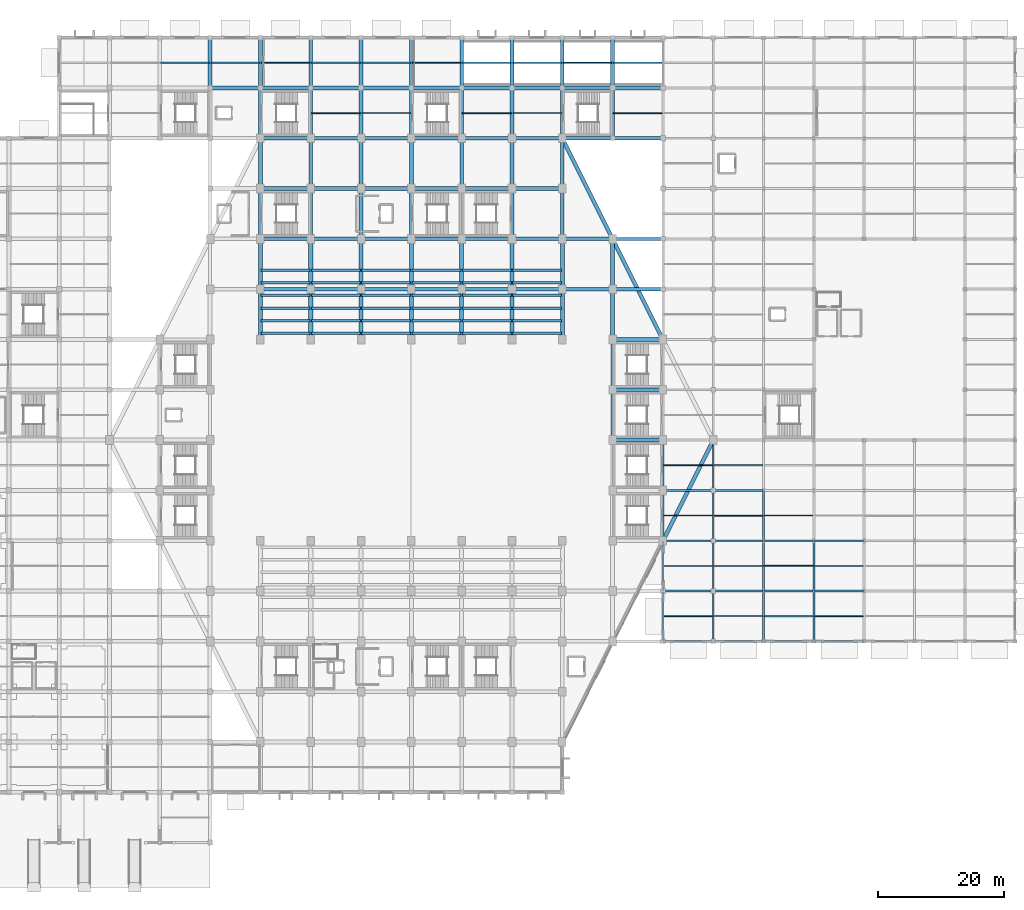
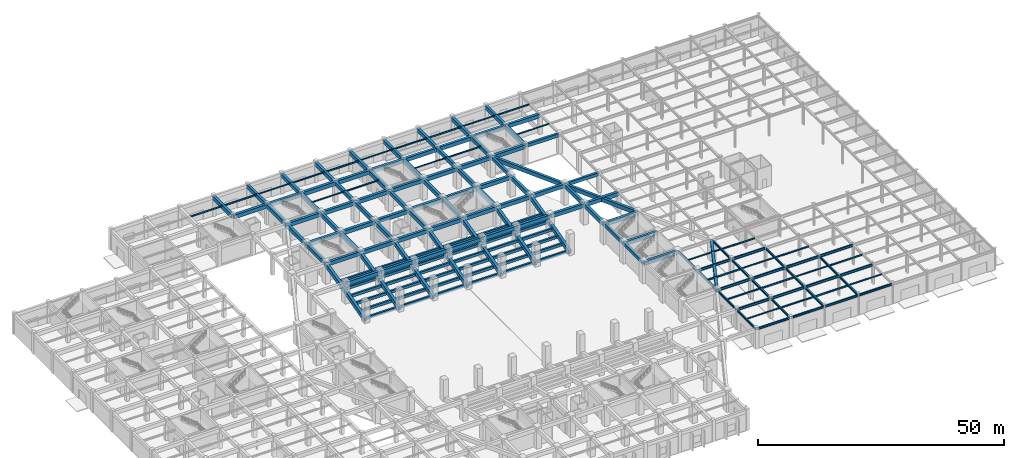
# One storey, part 13 of 39: 185 beams.
"""IFC4 building model written with IfcOpenShell, lengths in metres."""

from ifc_helpers import new_model, si_unit, direction, frame, origin, origin_2d, place, context, subcontext, project, spatial, rectangle, i_section, extrude, material, material_profile, profile_set, type_object, element, save


model = new_model("IFC4")

# Units and contexts
model_context = context("Model", 3, precision=1e-05, world=origin(), true_north=direction((0.0, 1.0)))
body_context = subcontext(model_context, "Body", "Model", "MODEL_VIEW")
ifc_project = project(units=[si_unit("LENGTHUNIT", "METRE"), si_unit("AREAUNIT", "SQUARE_METRE"), si_unit("VOLUMEUNIT", "CUBIC_METRE"), si_unit("PLANEANGLEUNIT", "RADIAN"), si_unit("MASSUNIT", "GRAM", prefix="KILO")], contexts=[model_context])

# Site, building, storey
site_placement = place(None, origin())
site = spatial("IfcSite", under=ifc_project, at=site_placement, CompositionType="ELEMENT")
building_placement = place(site_placement, origin())
building = spatial("IfcBuilding", under=site, at=building_placement, Name="Tazarka Park Arena", CompositionType="ELEMENT")
storey_placement = place(building_placement, origin())
storey = spatial("IfcBuildingStorey", under=building, at=storey_placement, Name="L00", CompositionType="ELEMENT", Elevation=0.0)

# Beams
ifc_material_1 = material(Name="Concrete C40/50", Category="concrete")
ifc_material_profile_1 = material_profile(ifc_material_1, rectangle(XDim=0.60009765625, YDim=0.949951171875, at=origin_2d()), Name="Concrete C40/50")
ifc_profile_set_1 = profile_set([ifc_material_profile_1], Name="Concrete C40/50")
beam_type_1 = type_object("IfcBeamType", Name="BM-B-03", PredefinedType="BEAM", material=ifc_profile_set_1)
for number, where, z_axis, x_axis, name in (
    (1, (56.1201171875, 120.0, 4.544921875), (1.0, 0.0, 0.0), (0.0, 1.0, 0.0), "GXM-L00-07-15"),
    (2, (56.0, 120.1201171875, 4.544921875), (0.0, 1.0, 0.0), (-1.0, 0.0, 0.0), "GYM-L00-07-15"),
    (3, (64.1201171875, 88.0, 4.544921875), (1.0, 0.0, 0.0), (0.0, 1.0, 0.0), "GXM-L00-08-11"),
    (4, (64.1201171875, 96.0, 4.544921875), (1.0, 0.0, 0.0), (0.0, 1.0, 0.0), "GXM-L00-08-12"),
    (5, (64.0, 96.1201171875, 4.544921875), (0.0, 1.0, 0.0), (-1.0, 0.0, 0.0), "GYM-L00-08-12"),
    (6, (64.1201171875, 104.0, 4.544921875), (1.0, 0.0, 0.0), (0.0, 1.0, 0.0), "GXM-L00-08-13"),
    (7, (64.0, 104.1201171875, 4.544921875), (0.0, 1.0, 0.0), (-1.0, 0.0, 0.0), "GYM-L00-08-13"),
    (8, (64.1201171875, 112.0, 4.544921875), (1.0, 0.0, 0.0), (0.0, 1.0, 0.0), "GXM-L00-08-14"),
    (9, (64.0, 112.1201171875, 4.544921875), (0.0, 1.0, 0.0), (-1.0, 0.0, 0.0), "GYM-L00-08-14"),
    (10, (64.1201171875, 120.0, 4.544921875), (1.0, 0.0, 0.0), (0.0, 1.0, 0.0), "GXM-L00-08-15"),
    (11, (64.0, 120.1201171875, 4.544921875), (0.0, 1.0, 0.0), (-1.0, 0.0, 0.0), "GYM-L00-08-15"),
    (12, (72.1201171875, 88.0, 4.544921875), (1.0, 0.0, 0.0), (0.0, 1.0, 0.0), "GXM-L00-09-11"),
    (13, (72.1201171875, 96.0, 4.544921875), (1.0, 0.0, 0.0), (0.0, 1.0, 0.0), "GXM-L00-09-12"),
    (14, (72.0, 96.1201171875, 4.544921875), (0.0, 1.0, 0.0), (-1.0, 0.0, 0.0), "GYM-L00-09-12"),
    (15, (72.1201171875, 104.0, 4.544921875), (1.0, 0.0, 0.0), (0.0, 1.0, 0.0), "GXM-L00-09-13"),
    (16, (72.0, 104.1201171875, 4.544921875), (0.0, 1.0, 0.0), (-1.0, 0.0, 0.0), "GYM-L00-09-13"),
    (17, (72.1201171875, 112.0, 4.544921875), (1.0, 0.0, 0.0), (0.0, 1.0, 0.0), "GXM-L00-09-14"),
    (18, (72.0, 112.1201171875, 4.544921875), (0.0, 1.0, 0.0), (-1.0, 0.0, 0.0), "GYM-L00-09-14"),
    (19, (72.1201171875, 120.0, 4.544921875), (1.0, 0.0, 0.0), (0.0, 1.0, 0.0), "GXM-L00-09-15"),
    (20, (72.0, 120.1201171875, 4.544921875), (0.0, 1.0, 0.0), (-1.0, 0.0, 0.0), "GYM-L00-09-15"),
    (21, (80.1201171875, 88.0, 4.544921875), (1.0, 0.0, 0.0), (0.0, 1.0, 0.0), "GXM-L00-10-11"),
    (22, (80.1201171875, 96.0, 4.544921875), (1.0, 0.0, 0.0), (0.0, 1.0, 0.0), "GXM-L00-10-12"),
    (23, (80.0, 96.1201171875, 4.544921875), (0.0, 1.0, 0.0), (-1.0, 0.0, 0.0), "GYM-L00-10-12"),
    (24, (80.1201171875, 104.0, 4.544921875), (1.0, 0.0, 0.0), (0.0, 1.0, 0.0), "GXM-L00-10-13"),
    (25, (80.0, 104.1201171875, 4.544921875), (0.0, 1.0, 0.0), (-1.0, 0.0, 0.0), "GYM-L00-10-13"),
    (26, (80.1201171875, 112.0, 4.544921875), (1.0, 0.0, 0.0), (0.0, 1.0, 0.0), "GXM-L00-10-14"),
    (27, (80.0, 112.1201171875, 4.544921875), (0.0, 1.0, 0.0), (-1.0, 0.0, 0.0), "GYM-L00-10-14"),
    (28, (80.1201171875, 120.0, 4.544921875), (1.0, 0.0, 0.0), (0.0, 1.0, 0.0), "GXM-L00-10-15"),
    (29, (80.0, 120.1201171875, 4.544921875), (0.0, 1.0, 0.0), (-1.0, 0.0, 0.0), "GYM-L00-10-15"),
    (30, (88.1201171875, 88.0, 4.544921875), (1.0, 0.0, 0.0), (0.0, 1.0, 0.0), "GXM-L00-11-11"),
    (31, (88.1201171875, 96.0, 4.544921875), (1.0, 0.0, 0.0), (0.0, 1.0, 0.0), "GXM-L00-11-12"),
    (32, (88.0, 96.1201171875, 4.544921875), (0.0, 1.0, 0.0), (-1.0, 0.0, 0.0), "GYM-L00-11-12"),
    (33, (88.1201171875, 104.0, 4.544921875), (1.0, 0.0, 0.0), (0.0, 1.0, 0.0), "GXM-L00-11-13"),
    (34, (88.0, 104.1201171875, 4.544921875), (0.0, 1.0, 0.0), (-1.0, 0.0, 0.0), "GYM-L00-11-13"),
    (35, (88.1201171875, 112.0, 4.544921875), (1.0, 0.0, 0.0), (0.0, 1.0, 0.0), "GXM-L00-11-14"),
    (36, (88.0, 112.1201171875, 4.544921875), (0.0, 1.0, 0.0), (-1.0, 0.0, 0.0), "GYM-L00-11-14"),
    (37, (88.1201171875, 120.0, 4.544921875), (1.0, 0.0, 0.0), (0.0, 1.0, 0.0), "GXM-L00-11-15"),
    (38, (88.0, 120.1201171875, 4.544921875), (0.0, 1.0, 0.0), (-1.0, 0.0, 0.0), "GYM-L00-11-15"),
    (39, (96.1201171875, 88.0, 4.544921875), (1.0, 0.0, 0.0), (0.0, 1.0, 0.0), "GXM-L00-12-11"),
    (40, (96.1201171875, 96.0, 4.544921875), (1.0, 0.0, 0.0), (0.0, 1.0, 0.0), "GXM-L00-12-12"),
    (41, (96.0, 96.1201171875, 4.544921875), (0.0, 1.0, 0.0), (-1.0, 0.0, 0.0), "GYM-L00-12-12"),
    (42, (96.1201171875, 104.0, 4.544921875), (1.0, 0.0, 0.0), (0.0, 1.0, 0.0), "GXM-L00-12-13"),
    (43, (96.0, 104.1201171875, 4.544921875), (0.0, 1.0, 0.0), (-1.0, 0.0, 0.0), "GYM-L00-12-13"),
    (44, (96.1201171875, 112.0, 4.544921875), (1.0, 0.0, 0.0), (0.0, 1.0, 0.0), "GXM-L00-12-14"),
    (45, (96.0, 112.1201171875, 4.544921875), (0.0, 1.0, 0.0), (-1.0, 0.0, 0.0), "GYM-L00-12-14"),
    (46, (96.1201171875, 120.0, 4.544921875), (1.0, 0.0, 0.0), (0.0, 1.0, 0.0), "GXM-L00-12-15"),
    (47, (96.0, 120.1201171875, 4.544921875), (0.0, 1.0, 0.0), (-1.0, 0.0, 0.0), "GYM-L00-12-15"),
    (48, (104.1201171875, 88.0, 4.544921875), (1.0, 0.0, 0.0), (0.0, 1.0, 0.0), "GXM-L00-13-11"),
    (49, (104.1201171875, 96.0, 4.544921875), (1.0, 0.0, 0.0), (0.0, 1.0, 0.0), "GXM-L00-13-12"),
    (50, (104.0, 96.1201171875, 4.544921875), (0.0, 1.0, 0.0), (-1.0, 0.0, 0.0), "GYM-L00-13-12"),
    (51, (104.1201171875, 104.0, 4.544921875), (1.0, 0.0, 0.0), (0.0, 1.0, 0.0), "GXM-L00-13-13"),
    (52, (104.0, 104.1201171875, 4.544921875), (0.0, 1.0, 0.0), (-1.0, 0.0, 0.0), "GYM-L00-13-13"),
    (53, (104.1201171875, 112.0, 4.544921875), (1.0, 0.0, 0.0), (0.0, 1.0, 0.0), "GXM-L00-13-14"),
    (54, (104.0, 112.1201171875, 4.544921875), (0.0, 1.0, 0.0), (-1.0, 0.0, 0.0), "GYM-L00-13-14"),
    (55, (104.1201171875, 120.0, 4.544921875), (1.0, 0.0, 0.0), (0.0, 1.0, 0.0), "GXM-L00-13-15"),
    (56, (104.0, 120.1201171875, 4.544921875), (0.0, 1.0, 0.0), (-1.0, 0.0, 0.0), "GYM-L00-13-15"),
    (57, (112.1201171875, 88.0, 4.544921875), (1.0, 0.0, 0.0), (0.0, 1.0, 0.0), "GXM-L00-14-11"),
    (58, (112.1201171875, 96.0, 4.544921875), (1.0, 0.0, 0.0), (0.0, 1.0, 0.0), "GXM-L00-14-12"),
    (59, (112.0, 96.1201171875, 4.544921875), (0.0, 1.0, 0.0), (-1.0, 0.0, 0.0), "GYM-L00-14-12"),
    (60, (112.1201171875, 112.0, 4.544921875), (1.0, 0.0, 0.0), (0.0, 1.0, 0.0), "GXM-L00-14-14"),
    (61, (112.0, 112.1201171875, 4.544921875), (0.0, 1.0, 0.0), (-1.0, 0.0, 0.0), "GYM-L00-14-14"),
    (62, (112.1201171875, 120.0, 4.544921875), (1.0, 0.0, 0.0), (0.0, 1.0, 0.0), "GXM-L00-14-15"),
    (63, (112.0, 120.1201171875, 4.544921875), (0.0, 1.0, 0.0), (-1.0, 0.0, 0.0), "GYM-L00-14-15"),
    (64, (120.1201171875, 64.0, 4.544921875), (1.0, 0.0, 0.0), (0.0, 1.0, 0.0), "GXM-L00-15-08"),
    (65, (120.1201171875, 72.0, 4.544921875), (1.0, 0.0, 0.0), (0.0, 1.0, 0.0), "GXM-L00-15-09"),
    (66, (120.1201171875, 80.0, 4.544921875), (1.0, 0.0, 0.0), (0.0, 1.0, 0.0), "GXM-L00-15-10"),
    (67, (120.0, 80.1201171875, 4.544921875), (0.0, 1.0, 0.0), (-1.0, 0.0, 0.0), "GYM-L00-15-10"),
    (68, (120.1201171875, 88.0, 4.544921875), (1.0, 0.0, 0.0), (0.0, 1.0, 0.0), "GXM-L00-15-11"),
    (69, (120.0, 88.1201171875, 4.544921875), (0.0, 1.0, 0.0), (-1.0, 0.0, 0.0), "GYM-L00-15-11"),
    (70, (120.0, 112.1201171875, 4.544921875), (0.0, 1.0, 0.0), (-1.0, 0.0, 0.0), "GYM-L00-15-14"),
    (71, (120.1201171875, 120.0, 4.544921875), (1.0, 0.0, 0.0), (0.0, 1.0, 0.0), "GXM-L00-15-15"),
    (72, (120.0, 120.1201171875, 4.544921875), (0.0, 1.0, 0.0), (-1.0, 0.0, 0.0), "GYM-L00-15-15"),
):
    element("IfcBeam", number, at=place(storey_placement, frame(where, z_axis=z_axis, x_axis=x_axis)), inside=storey, type_object=beam_type_1, Name=name, PredefinedType="BEAM", context=body_context, shape_type="SweptSolid", body=[
        extrude(rectangle(XDim=0.60009765625, YDim=0.949951171875, at=origin_2d()), origin(), (0.0, 0.0, 1.0), 7.759765625),
    ])
ifc_material_2 = material(Name="Steel S355", Category="steel")
ifc_material_profile_2 = material_profile(ifc_material_2, i_section(OverallWidth=0.300048828125, OverallDepth=0.590087890625, WebThickness=0.012939453125, FlangeThickness=0.02490234375, FilletRadius=0.027099609375, at=origin_2d()), Name="Steel S355")
ifc_profile_set_2 = profile_set([ifc_material_profile_2], Name="Steel S355")
beam_type_2 = type_object("IfcBeamType", Name="BM-B-07", PredefinedType="BEAM", material=ifc_profile_set_2)
for number, where, z_axis, x_axis, name in (
    (73, (128.1201171875, 40.0, 4.72509765625), (1.0, 0.0, 0.0), (0.0, 1.0, 0.0), "GXM-L00-16-05"),
    (74, (128.1201171875, 48.0, 4.72509765625), (1.0, 0.0, 0.0), (0.0, 1.0, 0.0), "GXM-L00-16-06"),
    (75, (128.1201171875, 56.0, 4.72509765625), (1.0, 0.0, 0.0), (0.0, 1.0, 0.0), "GXM-L00-16-07"),
    (76, (136.1201171875, 40.0, 4.72509765625), (1.0, 0.0, 0.0), (0.0, 1.0, 0.0), "GXM-L00-17-05"),
    (77, (136.1201171875, 48.0, 4.72509765625), (1.0, 0.0, 0.0), (0.0, 1.0, 0.0), "GXM-L00-17-06"),
    (78, (136.1201171875, 56.0, 4.72509765625), (1.0, 0.0, 0.0), (0.0, 1.0, 0.0), "GXM-L00-17-07"),
    (79, (144.1201171875, 40.0, 4.72509765625), (1.0, 0.0, 0.0), (0.0, 1.0, 0.0), "GXM-L00-18-05"),
    (80, (144.1201171875, 48.0, 4.72509765625), (1.0, 0.0, 0.0), (0.0, 1.0, 0.0), "GXM-L00-18-06"),
    (81, (152.1201171875, 40.0, 4.72509765625), (1.0, 0.0, 0.0), (0.0, 1.0, 0.0), "GXM-L00-19-05"),
    (82, (152.1201171875, 48.0, 4.72509765625), (1.0, 0.0, 0.0), (0.0, 1.0, 0.0), "GXM-L00-19-06"),
):
    element("IfcBeam", number, at=place(storey_placement, frame(where, z_axis=z_axis, x_axis=x_axis)), inside=storey, type_object=beam_type_2, Name=name, PredefinedType="BEAM", context=body_context, shape_type="SweptSolid", body=[
        extrude(i_section(OverallWidth=0.300048828125, OverallDepth=0.590087890625, WebThickness=0.012939453125, FlangeThickness=0.02490234375, FilletRadius=0.027099609375, at=origin_2d()), origin(), (0.0, 0.0, 1.0), 7.759765625),
    ])
ifc_material_3 = material(Name="Steel S355", Category="steel")
ifc_material_profile_3 = material_profile(ifc_material_3, i_section(OverallWidth=0.300048828125, OverallDepth=0.5, WebThickness=0.014404296875, FlangeThickness=0.028076171875, FilletRadius=0.027099609375, at=origin_2d()), Name="Steel S355")
ifc_profile_set_3 = profile_set([ifc_material_profile_3], Name="Steel S355")
beam_type_3 = type_object("IfcBeamType", Name="BM-B-08", PredefinedType="BEAM", material=ifc_profile_set_3)
for number, where, z_axis, x_axis, name in (
    (83, (128.0, 32.1201171875, 4.77001953125), (0.0, 1.0, 0.0), (-1.0, 0.0, 0.0), "GYM-L00-16-04"),
    (84, (128.0, 40.1201171875, 4.77001953125), (0.0, 1.0, 0.0), (-1.0, 0.0, 0.0), "GYM-L00-16-05"),
    (85, (128.0, 48.1201171875, 4.77001953125), (0.0, 1.0, 0.0), (-1.0, 0.0, 0.0), "GYM-L00-16-06"),
    (86, (128.0, 56.1201171875, 4.77001953125), (0.0, 1.0, 0.0), (-1.0, 0.0, 0.0), "GYM-L00-16-07"),
    (87, (136.0, 32.1201171875, 4.77001953125), (0.0, 1.0, 0.0), (-1.0, 0.0, 0.0), "GYM-L00-17-04"),
    (88, (136.0, 40.1201171875, 4.77001953125), (0.0, 1.0, 0.0), (-1.0, 0.0, 0.0), "GYM-L00-17-05"),
    (89, (136.0, 48.1201171875, 4.77001953125), (0.0, 1.0, 0.0), (-1.0, 0.0, 0.0), "GYM-L00-17-06"),
    (90, (136.0, 56.1201171875, 4.77001953125), (0.0, 1.0, 0.0), (-1.0, 0.0, 0.0), "GYM-L00-17-07"),
    (91, (144.0, 32.1201171875, 4.77001953125), (0.0, 1.0, 0.0), (-1.0, 0.0, 0.0), "GYM-L00-18-04"),
    (92, (144.0, 40.1201171875, 4.77001953125), (0.0, 1.0, 0.0), (-1.0, 0.0, 0.0), "GYM-L00-18-05"),
    (93, (144.0, 48.1201171875, 4.77001953125), (0.0, 1.0, 0.0), (-1.0, 0.0, 0.0), "GYM-L00-18-06"),
    (94, (152.0, 32.1201171875, 4.77001953125), (0.0, 1.0, 0.0), (-1.0, 0.0, 0.0), "GYM-L00-19-04"),
    (95, (152.0, 40.1201171875, 4.77001953125), (0.0, 1.0, 0.0), (-1.0, 0.0, 0.0), "GYM-L00-19-05"),
):
    element("IfcBeam", number, at=place(storey_placement, frame(where, z_axis=z_axis, x_axis=x_axis)), inside=storey, type_object=beam_type_3, Name=name, PredefinedType="BEAM", context=body_context, shape_type="SweptSolid", body=[
        extrude(i_section(OverallWidth=0.300048828125, OverallDepth=0.5, WebThickness=0.014404296875, FlangeThickness=0.028076171875, FilletRadius=0.027099609375, at=origin_2d()), origin(), (0.0, 0.0, 1.0), 7.759765625),
    ])
ifc_material_4 = material(Name="Steel S355", Category="steel")
ifc_material_profile_4 = material_profile(ifc_material_4, i_section(OverallWidth=0.14990234375, OverallDepth=0.300048828125, WebThickness=0.007080078125, FlangeThickness=0.0107421875, FilletRadius=0.014892578125, at=origin_2d()), Name="Steel S355")
ifc_profile_set_4 = profile_set([ifc_material_profile_4], Name="Steel S355")
beam_type_4 = type_object("IfcBeamType", Name="BM-J-01", PredefinedType="JOIST", material=ifc_profile_set_4)
for number, where, z_axis, x_axis, name in (
    (96, (64.1201171875, 124.0, 4.8701171875), (1.0, 0.0, 0.0), (0.0, 1.0, 0.0), "JST-L00-08-15"),
    (97, (72.1201171875, 116.0, 4.8701171875), (1.0, 0.0, 0.0), (0.0, 1.0, 0.0), "JST-L00-09-14"),
    (98, (88.1201171875, 124.0, 4.8701171875), (1.0, 0.0, 0.0), (0.0, 1.0, 0.0), "JST-L00-11-15"),
    (99, (96.1201171875, 116.0, 4.8701171875), (1.0, 0.0, 0.0), (0.0, 1.0, 0.0), "JST-L00-12-14"),
    (100, (112.1201171875, 124.0, 4.8701171875), (1.0, 0.0, 0.0), (0.0, 1.0, 0.0), "JST-L00-14-15"),
    (101, (120.1201171875, 116.0, 4.8701171875), (1.0, 0.0, 0.0), (0.0, 1.0, 0.0), "JST-L00-15-14"),
    (102, (128.1201171875, 36.0, 4.8701171875), (1.0, 0.0, 0.0), (0.0, 1.0, 0.0), "JST-L00-16-04"),
    (103, (128.1201171875, 60.0, 4.8701171875), (1.0, 0.0, 0.0), (0.0, 1.0, 0.0), "JST-L00-16-07"),
    (104, (136.1201171875, 52.0, 4.8701171875), (1.0, 0.0, 0.0), (0.0, 1.0, 0.0), "JST-L00-17-06"),
    (105, (144.1201171875, 44.0, 4.8701171875), (1.0, 0.0, 0.0), (0.0, 1.0, 0.0), "JST-L00-18-05"),
    (106, (152.1201171875, 36.0, 4.8701171875), (1.0, 0.0, 0.0), (0.0, 1.0, 0.0), "JST-L00-19-04"),
):
    element("IfcBeam", number, at=place(storey_placement, frame(where, z_axis=z_axis, x_axis=x_axis)), inside=storey, type_object=beam_type_4, Name=name, PredefinedType="JOIST", context=body_context, shape_type="SweptSolid", body=[
        extrude(i_section(OverallWidth=0.14990234375, OverallDepth=0.300048828125, WebThickness=0.007080078125, FlangeThickness=0.0107421875, FilletRadius=0.014892578125, at=origin_2d()), origin(), (0.0, 0.0, 1.0), 7.759765625),
    ])
ifc_material_5 = material(Name="Steel S355", Category="steel")
ifc_material_profile_5 = material_profile(ifc_material_5, i_section(OverallWidth=0.169921875, OverallDepth=0.360107421875, WebThickness=0.008056640625, FlangeThickness=0.0126953125, FilletRadius=0.01806640625, at=origin_2d()), Name="Steel S355")
ifc_profile_set_5 = profile_set([ifc_material_profile_5], Name="Steel S355")
beam_type_5 = type_object("IfcBeamType", Name="BM-J-02", PredefinedType="JOIST", material=ifc_profile_set_5)
for number, where, z_axis, x_axis, name in (
    (107, (48.1201171875, 124.0, 4.840087890625), (1.0, 0.0, 0.0), (0.0, 1.0, 0.0), "JST-L00-06-15"),
    (108, (72.1201171875, 124.0, 4.840087890625), (1.0, 0.0, 0.0), (0.0, 1.0, 0.0), "JST-L00-09-15"),
    (109, (80.1201171875, 116.0, 4.840087890625), (1.0, 0.0, 0.0), (0.0, 1.0, 0.0), "JST-L00-10-14"),
    (110, (96.1201171875, 124.0, 4.840087890625), (1.0, 0.0, 0.0), (0.0, 1.0, 0.0), "JST-L00-12-15"),
    (111, (104.1201171875, 116.0, 4.840087890625), (1.0, 0.0, 0.0), (0.0, 1.0, 0.0), "JST-L00-13-14"),
    (112, (120.1201171875, 124.0, 4.840087890625), (1.0, 0.0, 0.0), (0.0, 1.0, 0.0), "JST-L00-15-15"),
    (113, (128.1201171875, 44.0, 4.840087890625), (1.0, 0.0, 0.0), (0.0, 1.0, 0.0), "JST-L00-16-05"),
    (114, (136.1201171875, 36.0, 4.840087890625), (1.0, 0.0, 0.0), (0.0, 1.0, 0.0), "JST-L00-17-04"),
    (115, (136.1201171875, 60.0, 4.840087890625), (1.0, 0.0, 0.0), (0.0, 1.0, 0.0), "JST-L00-17-07"),
    (116, (144.1201171875, 52.0, 4.840087890625), (1.0, 0.0, 0.0), (0.0, 1.0, 0.0), "JST-L00-18-06"),
    (117, (152.1201171875, 44.0, 4.840087890625), (1.0, 0.0, 0.0), (0.0, 1.0, 0.0), "JST-L00-19-05"),
):
    element("IfcBeam", number, at=place(storey_placement, frame(where, z_axis=z_axis, x_axis=x_axis)), inside=storey, type_object=beam_type_5, Name=name, PredefinedType="JOIST", context=body_context, shape_type="SweptSolid", body=[
        extrude(i_section(OverallWidth=0.169921875, OverallDepth=0.360107421875, WebThickness=0.008056640625, FlangeThickness=0.0126953125, FilletRadius=0.01806640625, at=origin_2d()), origin(), (0.0, 0.0, 1.0), 7.759765625),
    ])
ifc_material_6 = material(Name="Steel S355", Category="steel")
ifc_material_profile_6 = material_profile(ifc_material_6, i_section(OverallWidth=0.179931640625, OverallDepth=0.39990234375, WebThickness=0.008544921875, FlangeThickness=0.013427734375, FilletRadius=0.02099609375, at=origin_2d()), Name="Steel S355")
ifc_profile_set_6 = profile_set([ifc_material_profile_6], Name="Steel S355")
beam_type_6 = type_object("IfcBeamType", Name="BM-J-03", PredefinedType="JOIST", material=ifc_profile_set_6)
for number, where, z_axis, x_axis, name in (
    (118, (56.1201171875, 124.0, 4.820068359375), (1.0, 0.0, 0.0), (0.0, 1.0, 0.0), "JST-L00-07-15"),
    (119, (80.1201171875, 124.0, 4.820068359375), (1.0, 0.0, 0.0), (0.0, 1.0, 0.0), "JST-L00-10-15"),
    (120, (104.1201171875, 124.0, 4.820068359375), (1.0, 0.0, 0.0), (0.0, 1.0, 0.0), "JST-L00-13-15"),
    (121, (128.1201171875, 52.0, 4.820068359375), (1.0, 0.0, 0.0), (0.0, 1.0, 0.0), "JST-L00-16-06"),
    (122, (136.1201171875, 44.0, 4.820068359375), (1.0, 0.0, 0.0), (0.0, 1.0, 0.0), "JST-L00-17-05"),
    (123, (144.1201171875, 36.0, 4.820068359375), (1.0, 0.0, 0.0), (0.0, 1.0, 0.0), "JST-L00-18-04"),
):
    element("IfcBeam", number, at=place(storey_placement, frame(where, z_axis=z_axis, x_axis=x_axis)), inside=storey, type_object=beam_type_6, Name=name, PredefinedType="JOIST", context=body_context, shape_type="SweptSolid", body=[
        extrude(i_section(OverallWidth=0.179931640625, OverallDepth=0.39990234375, WebThickness=0.008544921875, FlangeThickness=0.013427734375, FilletRadius=0.02099609375, at=origin_2d()), origin(), (0.0, 0.0, 1.0), 7.759765625),
    ])
ifc_material_7 = material(Name="Precast concrete C40/50", Category="concrete")
ifc_material_profile_7 = material_profile(ifc_material_7, rectangle(XDim=0.64990234375, YDim=1.0, at=origin_2d()), Name="Precast concrete C40/50")
ifc_profile_set_7 = profile_set([ifc_material_profile_7], Name="Precast concrete C40/50")
beam_type_7 = type_object("IfcBeamType", Name="BM-RK-01", PredefinedType="BEAM", material=ifc_profile_set_7)
beam_1_placement = place(storey_placement, frame((64.0, 80.0, 0.35009765625), z_axis=(0.0, 0.964206897392, 0.265151011731), x_axis=(-1.0, 0.0, 0.0)))
element("IfcBeam", 124, at=beam_1_placement, inside=storey, type_object=beam_type_7, Name="RAKER RK-01-08", PredefinedType="BEAM", context=body_context, shape_type="SweptSolid", body=[
    extrude(rectangle(XDim=0.64990234375, YDim=1.0, at=origin_2d()), origin(), (0.0, 0.0, 1.0), 8.296875),
])
beam_2_placement = place(storey_placement, frame((64.0, 88.0, 2.550048828125), z_axis=(0.0, 0.97293922076, 0.231061188231), x_axis=(-1.0, 0.0, 0.0)))
element("IfcBeam", 125, at=beam_2_placement, inside=storey, type_object=beam_type_7, Name="RAKER RK-01-08U", PredefinedType="BEAM", context=body_context, shape_type="SweptSolid", body=[
    extrude(rectangle(XDim=0.64990234375, YDim=1.0, at=origin_2d()), origin(), (0.0, 0.0, 1.0), 8.222412109375),
])
beam_3_placement = place(storey_placement, frame((72.0, 80.0, 0.35009765625), z_axis=(0.0, 0.964206897392, 0.265151011731), x_axis=(-1.0, 0.0, 0.0)))
element("IfcBeam", 126, at=beam_3_placement, inside=storey, type_object=beam_type_7, Name="RAKER RK-01-09", PredefinedType="BEAM", context=body_context, shape_type="SweptSolid", body=[
    extrude(rectangle(XDim=0.64990234375, YDim=1.0, at=origin_2d()), origin(), (0.0, 0.0, 1.0), 8.296875),
])
beam_4_placement = place(storey_placement, frame((72.0, 88.0, 2.550048828125), z_axis=(0.0, 0.97293922076, 0.231061188231), x_axis=(-1.0, 0.0, 0.0)))
element("IfcBeam", 127, at=beam_4_placement, inside=storey, type_object=beam_type_7, Name="RAKER RK-01-09U", PredefinedType="BEAM", context=body_context, shape_type="SweptSolid", body=[
    extrude(rectangle(XDim=0.64990234375, YDim=1.0, at=origin_2d()), origin(), (0.0, 0.0, 1.0), 8.222412109375),
])
beam_5_placement = place(storey_placement, frame((80.0, 80.0, 0.35009765625), z_axis=(0.0, 0.964206897392, 0.265151011731), x_axis=(-1.0, 0.0, 0.0)))
element("IfcBeam", 128, at=beam_5_placement, inside=storey, type_object=beam_type_7, Name="RAKER RK-01-10", PredefinedType="BEAM", context=body_context, shape_type="SweptSolid", body=[
    extrude(rectangle(XDim=0.64990234375, YDim=1.0, at=origin_2d()), origin(), (0.0, 0.0, 1.0), 8.296875),
])
beam_6_placement = place(storey_placement, frame((80.0, 88.0, 2.550048828125), z_axis=(0.0, 0.97293922076, 0.231061188231), x_axis=(-1.0, 0.0, 0.0)))
element("IfcBeam", 129, at=beam_6_placement, inside=storey, type_object=beam_type_7, Name="RAKER RK-01-10U", PredefinedType="BEAM", context=body_context, shape_type="SweptSolid", body=[
    extrude(rectangle(XDim=0.64990234375, YDim=1.0, at=origin_2d()), origin(), (0.0, 0.0, 1.0), 8.222412109375),
])
beam_7_placement = place(storey_placement, frame((88.0, 80.0, 0.35009765625), z_axis=(0.0, 0.964206897392, 0.265151011731), x_axis=(-1.0, 0.0, 0.0)))
element("IfcBeam", 130, at=beam_7_placement, inside=storey, type_object=beam_type_7, Name="RAKER RK-01-11", PredefinedType="BEAM", context=body_context, shape_type="SweptSolid", body=[
    extrude(rectangle(XDim=0.64990234375, YDim=1.0, at=origin_2d()), origin(), (0.0, 0.0, 1.0), 8.296875),
])
beam_8_placement = place(storey_placement, frame((88.0, 88.0, 2.550048828125), z_axis=(0.0, 0.97293922076, 0.231061188231), x_axis=(-1.0, 0.0, 0.0)))
element("IfcBeam", 131, at=beam_8_placement, inside=storey, type_object=beam_type_7, Name="RAKER RK-01-11U", PredefinedType="BEAM", context=body_context, shape_type="SweptSolid", body=[
    extrude(rectangle(XDim=0.64990234375, YDim=1.0, at=origin_2d()), origin(), (0.0, 0.0, 1.0), 8.222412109375),
])
beam_9_placement = place(storey_placement, frame((96.0, 80.0, 0.35009765625), z_axis=(0.0, 0.964206897392, 0.265151011731), x_axis=(-1.0, 0.0, 0.0)))
element("IfcBeam", 132, at=beam_9_placement, inside=storey, type_object=beam_type_7, Name="RAKER RK-01-12", PredefinedType="BEAM", context=body_context, shape_type="SweptSolid", body=[
    extrude(rectangle(XDim=0.64990234375, YDim=1.0, at=origin_2d()), origin(), (0.0, 0.0, 1.0), 8.296875),
])
beam_10_placement = place(storey_placement, frame((96.0, 88.0, 2.550048828125), z_axis=(0.0, 0.97293922076, 0.231061188231), x_axis=(-1.0, 0.0, 0.0)))
element("IfcBeam", 133, at=beam_10_placement, inside=storey, type_object=beam_type_7, Name="RAKER RK-01-12U", PredefinedType="BEAM", context=body_context, shape_type="SweptSolid", body=[
    extrude(rectangle(XDim=0.64990234375, YDim=1.0, at=origin_2d()), origin(), (0.0, 0.0, 1.0), 8.222412109375),
])
beam_11_placement = place(storey_placement, frame((104.0, 80.0, 0.35009765625), z_axis=(0.0, 0.964206897392, 0.265151011731), x_axis=(-1.0, 0.0, 0.0)))
element("IfcBeam", 134, at=beam_11_placement, inside=storey, type_object=beam_type_7, Name="RAKER RK-01-13", PredefinedType="BEAM", context=body_context, shape_type="SweptSolid", body=[
    extrude(rectangle(XDim=0.64990234375, YDim=1.0, at=origin_2d()), origin(), (0.0, 0.0, 1.0), 8.296875),
])
beam_12_placement = place(storey_placement, frame((104.0, 88.0, 2.550048828125), z_axis=(0.0, 0.97293922076, 0.231061188231), x_axis=(-1.0, 0.0, 0.0)))
element("IfcBeam", 135, at=beam_12_placement, inside=storey, type_object=beam_type_7, Name="RAKER RK-01-13U", PredefinedType="BEAM", context=body_context, shape_type="SweptSolid", body=[
    extrude(rectangle(XDim=0.64990234375, YDim=1.0, at=origin_2d()), origin(), (0.0, 0.0, 1.0), 8.222412109375),
])
beam_13_placement = place(storey_placement, frame((112.0, 80.0, 0.35009765625), z_axis=(0.0, 0.964206897392, 0.265151011731), x_axis=(-1.0, 0.0, 0.0)))
element("IfcBeam", 136, at=beam_13_placement, inside=storey, type_object=beam_type_7, Name="RAKER RK-01-14", PredefinedType="BEAM", context=body_context, shape_type="SweptSolid", body=[
    extrude(rectangle(XDim=0.64990234375, YDim=1.0, at=origin_2d()), origin(), (0.0, 0.0, 1.0), 8.296875),
])
beam_14_placement = place(storey_placement, frame((112.0, 88.0, 2.550048828125), z_axis=(0.0, 0.97293922076, 0.231061188231), x_axis=(-1.0, 0.0, 0.0)))
element("IfcBeam", 137, at=beam_14_placement, inside=storey, type_object=beam_type_7, Name="RAKER RK-01-14U", PredefinedType="BEAM", context=body_context, shape_type="SweptSolid", body=[
    extrude(rectangle(XDim=0.64990234375, YDim=1.0, at=origin_2d()), origin(), (0.0, 0.0, 1.0), 8.222412109375),
])
ifc_material_8 = material(Name="Concrete C40/50", Category="concrete")
ifc_material_profile_8 = material_profile(ifc_material_8, rectangle(XDim=0.5, YDim=0.800048828125, at=origin_2d()), Name="Concrete C40/50")
ifc_profile_set_8 = profile_set([ifc_material_profile_8], Name="Concrete C40/50")
beam_type_8 = type_object("IfcBeamType", Name="BM-SP-01", PredefinedType="SPANDREL", material=ifc_profile_set_8)
for number, where, z_axis, x_axis, name in (
    (138, (112.0, 104.1201171875, 4.6201171875), (0.0, 1.0, 0.0), (-1.0, 0.0, 0.0), "GYM-L00-14-13"),
    (139, (120.0, 64.1201171875, 4.6201171875), (0.0, 1.0, 0.0), (-1.0, 0.0, 0.0), "GYM-L00-15-08"),
    (140, (120.0, 72.1201171875, 4.6201171875), (0.0, 1.0, 0.0), (-1.0, 0.0, 0.0), "GYM-L00-15-09"),
    (141, (120.1201171875, 96.0, 4.6201171875), (1.0, 0.0, 0.0), (0.0, 1.0, 0.0), "GXM-L00-15-12"),
    (142, (120.1201171875, 112.0, 4.6201171875), (1.0, 0.0, 0.0), (0.0, 1.0, 0.0), "GXM-L00-15-14"),
):
    element("IfcBeam", number, at=place(storey_placement, frame(where, z_axis=z_axis, x_axis=x_axis)), inside=storey, type_object=beam_type_8, Name=name, PredefinedType="SPANDREL", context=body_context, shape_type="SweptSolid", body=[
        extrude(rectangle(XDim=0.5, YDim=0.800048828125, at=origin_2d()), origin(), (0.0, 0.0, 1.0), 7.759765625),
    ])
ifc_material_9 = material(Name="Steel S355", Category="steel")
ifc_material_profile_9 = material_profile(ifc_material_9, i_section(OverallWidth=0.300048828125, OverallDepth=0.489990234375, WebThickness=0.011962890625, FlangeThickness=0.02294921875, FilletRadius=0.027099609375, at=origin_2d()), Name="Steel S355")
ifc_profile_set_9 = profile_set([ifc_material_profile_9], Name="Steel S355")
beam_type_9 = type_object("IfcBeamType", Name="BM-SP-02", PredefinedType="SPANDREL", material=ifc_profile_set_9)
for number, where, z_axis, x_axis, name in (
    (143, (128.1201171875, 32.0, 4.77490234375), (1.0, 0.0, 0.0), (0.0, 1.0, 0.0), "GXM-L00-16-04"),
    (144, (136.1201171875, 32.0, 4.77490234375), (1.0, 0.0, 0.0), (0.0, 1.0, 0.0), "GXM-L00-17-04"),
    (145, (144.1201171875, 32.0, 4.77490234375), (1.0, 0.0, 0.0), (0.0, 1.0, 0.0), "GXM-L00-18-04"),
    (146, (152.1201171875, 32.0, 4.77490234375), (1.0, 0.0, 0.0), (0.0, 1.0, 0.0), "GXM-L00-19-04"),
):
    element("IfcBeam", number, at=place(storey_placement, frame(where, z_axis=z_axis, x_axis=x_axis)), inside=storey, type_object=beam_type_9, Name=name, PredefinedType="SPANDREL", context=body_context, shape_type="SweptSolid", body=[
        extrude(i_section(OverallWidth=0.300048828125, OverallDepth=0.489990234375, WebThickness=0.011962890625, FlangeThickness=0.02294921875, FilletRadius=0.027099609375, at=origin_2d()), origin(), (0.0, 0.0, 1.0), 7.759765625),
    ])
ifc_material_10 = material(Name="Concrete C40/50", Category="concrete")
ifc_material_profile_10 = material_profile(ifc_material_10, rectangle(XDim=0.60009765625, YDim=0.949951171875, at=origin_2d()), Name="Concrete C40/50")
ifc_profile_set_10 = profile_set([ifc_material_profile_10], Name="Concrete C40/50")
beam_type_10 = type_object("IfcBeamType", Name="BM-SP-03", PredefinedType="SPANDREL", material=ifc_profile_set_10)
for number, where, z_axis, x_axis, name in (
    (147, (128.0537109375, 48.107421875, 4.544921875), (0.4472135955, 0.894427191, 0.0), (-0.894427191, 0.4472135955, 0.0), "RING BEAM SP-03-L00-09"),
    (148, (127.9462890625, 80.107421875, 4.544921875), (-0.4472135955, 0.894427191, 0.0), (-0.894427191, -0.4472135955, 0.0), "RING BEAM SP-03-L00-11"),
    (149, (119.9462890625, 96.107421875, 4.544921875), (-0.4472135955, 0.894427191, 0.0), (-0.894427191, -0.4472135955, 0.0), "RING BEAM SP-03-L00-12"),
):
    element("IfcBeam", number, at=place(storey_placement, frame(where, z_axis=z_axis, x_axis=x_axis)), inside=storey, type_object=beam_type_10, Name=name, PredefinedType="SPANDREL", context=body_context, shape_type="SweptSolid", body=[
        extrude(rectangle(XDim=0.60009765625, YDim=0.949951171875, at=origin_2d()), origin(), (0.0, 0.0, 1.0), 17.6484375),
    ])
ifc_material_11 = material(Name="Precast concrete C40/50", Category="concrete")
ifc_material_profile_11 = material_profile(ifc_material_11, rectangle(XDim=0.39990234375, YDim=0.64990234375, at=origin_2d()), Name="Precast concrete C40/50")
ifc_profile_set_11 = profile_set([ifc_material_profile_11], Name="Precast concrete C40/50")
beam_type_11 = type_object("IfcBeamType", Name="BM-TB-01", PredefinedType="BEAM", material=ifc_profile_set_11)
for number, where, z_axis, x_axis, name in (
    (150, (64.10009765625, 81.0, -0.02490234375), (1.0, 0.0, 0.0), (0.0, 1.0, 0.0), "LTB-N-08-1"),
    (151, (72.10009765625, 81.0, -0.02490234375), (1.0, 0.0, 0.0), (0.0, 1.0, 0.0), "LTB-N-09-1"),
    (152, (80.10009765625, 81.0, -0.02490234375), (1.0, 0.0, 0.0), (0.0, 1.0, 0.0), "LTB-N-10-1"),
    (153, (88.10009765625, 81.0, -0.02490234375), (1.0, 0.0, 0.0), (0.0, 1.0, 0.0), "LTB-N-11-1"),
    (154, (96.10009765625, 81.0, -0.02490234375), (1.0, 0.0, 0.0), (0.0, 1.0, 0.0), "LTB-N-12-1"),
    (155, (104.10009765625, 81.0, -0.02490234375), (1.0, 0.0, 0.0), (0.0, 1.0, 0.0), "LTB-N-13-1"),
    (156, (64.10009765625, 83.0, 0.60498046875), (1.0, 0.0, 0.0), (0.0, 1.0, 0.0), "LTB-N-08-2"),
    (157, (72.10009765625, 83.0, 0.60498046875), (1.0, 0.0, 0.0), (0.0, 1.0, 0.0), "LTB-N-09-2"),
    (158, (80.10009765625, 83.0, 0.60498046875), (1.0, 0.0, 0.0), (0.0, 1.0, 0.0), "LTB-N-10-2"),
    (159, (88.10009765625, 83.0, 0.60498046875), (1.0, 0.0, 0.0), (0.0, 1.0, 0.0), "LTB-N-11-2"),
    (160, (96.10009765625, 83.0, 0.60498046875), (1.0, 0.0, 0.0), (0.0, 1.0, 0.0), "LTB-N-12-2"),
    (161, (104.10009765625, 83.0, 0.60498046875), (1.0, 0.0, 0.0), (0.0, 1.0, 0.0), "LTB-N-13-2"),
    (162, (64.10009765625, 85.0, 1.235107421875), (1.0, 0.0, 0.0), (0.0, 1.0, 0.0), "LTB-N-08-3"),
    (163, (72.10009765625, 85.0, 1.235107421875), (1.0, 0.0, 0.0), (0.0, 1.0, 0.0), "LTB-N-09-3"),
    (164, (80.10009765625, 85.0, 1.235107421875), (1.0, 0.0, 0.0), (0.0, 1.0, 0.0), "LTB-N-10-3"),
    (165, (88.10009765625, 85.0, 1.235107421875), (1.0, 0.0, 0.0), (0.0, 1.0, 0.0), "LTB-N-11-3"),
    (166, (96.10009765625, 85.0, 1.235107421875), (1.0, 0.0, 0.0), (0.0, 1.0, 0.0), "LTB-N-12-3"),
    (167, (104.10009765625, 85.0, 1.235107421875), (1.0, 0.0, 0.0), (0.0, 1.0, 0.0), "LTB-N-13-3"),
    (168, (64.10009765625, 87.0, 1.864990234375), (1.0, 0.0, 0.0), (0.0, 1.0, 0.0), "LTB-N-08-4"),
    (169, (72.10009765625, 87.0, 1.864990234375), (1.0, 0.0, 0.0), (0.0, 1.0, 0.0), "LTB-N-09-4"),
    (170, (80.10009765625, 87.0, 1.864990234375), (1.0, 0.0, 0.0), (0.0, 1.0, 0.0), "LTB-N-10-4"),
    (171, (88.10009765625, 87.0, 1.864990234375), (1.0, 0.0, 0.0), (0.0, 1.0, 0.0), "LTB-N-11-4"),
    (172, (96.10009765625, 87.0, 1.864990234375), (1.0, 0.0, 0.0), (0.0, 1.0, 0.0), "LTB-N-12-4"),
    (173, (104.10009765625, 87.0, 1.864990234375), (1.0, 0.0, 0.0), (0.0, 1.0, 0.0), "LTB-N-13-4"),
    (174, (64.10009765625, 89.0, 2.4951171875), (1.0, 0.0, 0.0), (0.0, 1.0, 0.0), "LTB-N-08-5"),
    (175, (72.10009765625, 89.0, 2.4951171875), (1.0, 0.0, 0.0), (0.0, 1.0, 0.0), "LTB-N-09-5"),
    (176, (80.10009765625, 89.0, 2.4951171875), (1.0, 0.0, 0.0), (0.0, 1.0, 0.0), "LTB-N-10-5"),
    (177, (88.10009765625, 89.0, 2.4951171875), (1.0, 0.0, 0.0), (0.0, 1.0, 0.0), "LTB-N-11-5"),
    (178, (96.10009765625, 89.0, 2.4951171875), (1.0, 0.0, 0.0), (0.0, 1.0, 0.0), "LTB-N-12-5"),
    (179, (104.10009765625, 89.0, 2.4951171875), (1.0, 0.0, 0.0), (0.0, 1.0, 0.0), "LTB-N-13-5"),
    (180, (64.10009765625, 91.0, 3.135009765625), (1.0, 0.0, 0.0), (0.0, 1.0, 0.0), "LTB-N-08-6"),
    (181, (72.10009765625, 91.0, 3.135009765625), (1.0, 0.0, 0.0), (0.0, 1.0, 0.0), "LTB-N-09-6"),
    (182, (80.10009765625, 91.0, 3.135009765625), (1.0, 0.0, 0.0), (0.0, 1.0, 0.0), "LTB-N-10-6"),
    (183, (88.10009765625, 91.0, 3.135009765625), (1.0, 0.0, 0.0), (0.0, 1.0, 0.0), "LTB-N-11-6"),
    (184, (96.10009765625, 91.0, 3.135009765625), (1.0, 0.0, 0.0), (0.0, 1.0, 0.0), "LTB-N-12-6"),
    (185, (104.10009765625, 91.0, 3.135009765625), (1.0, 0.0, 0.0), (0.0, 1.0, 0.0), "LTB-N-13-6"),
):
    element("IfcBeam", number, at=place(storey_placement, frame(where, z_axis=z_axis, x_axis=x_axis)), inside=storey, type_object=beam_type_11, Name=name, PredefinedType="BEAM", context=body_context, shape_type="SweptSolid", body=[
        extrude(rectangle(XDim=0.39990234375, YDim=0.64990234375, at=origin_2d()), origin(), (0.0, 0.0, 1.0), 7.7998046875),
    ])

save(model, "model.ifc")
